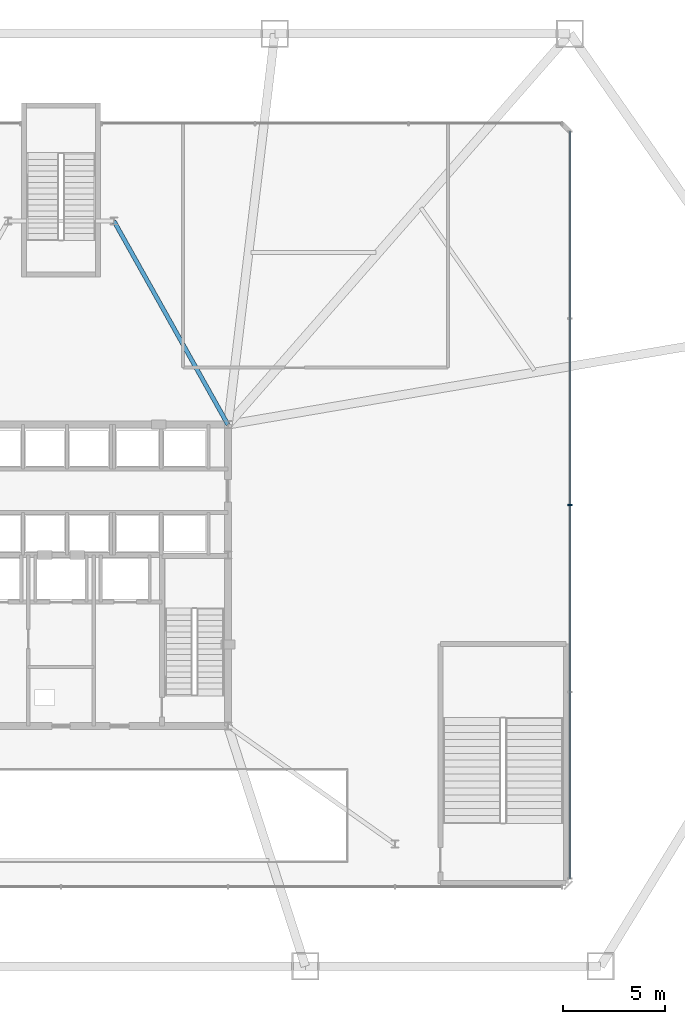
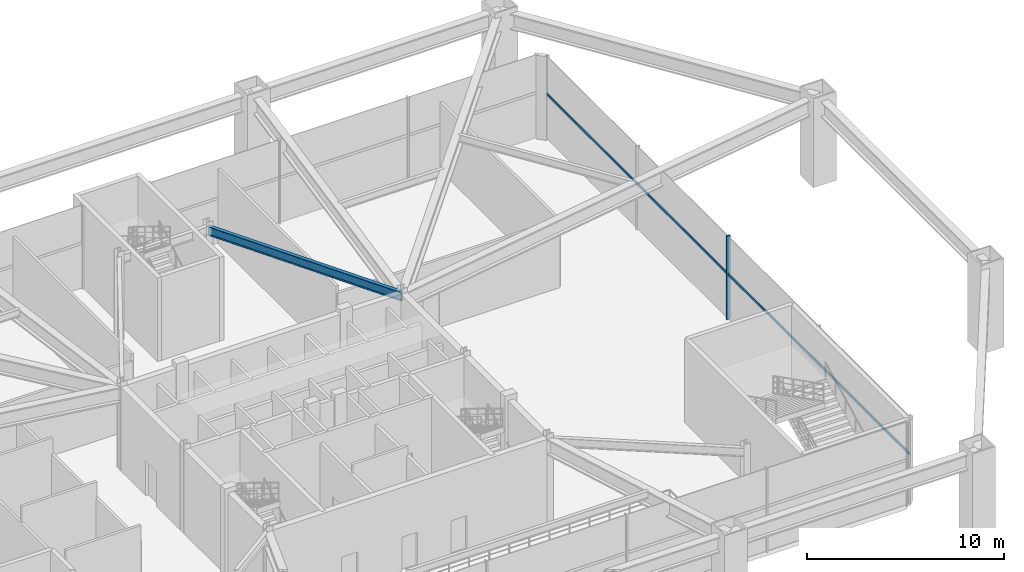
# One storey, part 9 of 18: 2 members, 1 beam, 1 element without a shape of its own.
"""IFC4 building model written with IfcOpenShell, lengths in metres."""

from ifc_helpers import new_model, si_unit, direction, frame, origin, origin_2d, place, context, subcontext, project, spatial, rectangle, i_section, extrude, source, transform, mapped, material, layer, layer_set, material_profile, profile_set, type_object, type_shapes, element, aggregate, save


model = new_model("IFC4")

# Units and contexts
model_context = context("Model", 3, precision=1e-05, world=origin(), true_north=direction((0.0, 1.0)))
body_context = subcontext(model_context, "Body", "Model", "MODEL_VIEW")
ifc_project = project(units=[si_unit("LENGTHUNIT", "METRE"), si_unit("AREAUNIT", "SQUARE_METRE"), si_unit("VOLUMEUNIT", "CUBIC_METRE"), si_unit("PLANEANGLEUNIT", "RADIAN"), si_unit("MASSUNIT", "GRAM", prefix="KILO")], contexts=[model_context])

# Site, building, storey
site_placement = place(None, origin())
site = spatial("IfcSite", under=ifc_project, at=site_placement, CompositionType="ELEMENT")
building_placement = place(site_placement, origin())
building = spatial("IfcBuilding", under=site, at=building_placement, Name="Varakhsha Concourse Tower", CompositionType="ELEMENT")
storey_placement = place(building_placement, frame((0.0, 0.0, 5.5)))
storey = spatial("IfcBuildingStorey", under=building, at=storey_placement, Name="L02", CompositionType="ELEMENT", Elevation=5.5)

# Beam
ifc_material_1 = material(Name="Structural Steel ASTM A992 Grade 50", Category="steel")
ifc_material_profile_1 = material_profile(ifc_material_1, i_section(OverallWidth=0.2109375, OverallDepth=0.5390625, WebThickness=0.011962890625, FlangeThickness=0.01904296875, at=origin_2d()), Name="W21X73")
ifc_profile_set_1 = profile_set([ifc_material_profile_1], Name="Structural Steel ASTM A992 Grade 50")
beam_type = type_object("IfcBeamType", Name="BM-RAD-W21X73", PredefinedType="BEAM", material=ifc_profile_set_1)
beam_placement = place(storey_placement, frame((48.199951171875, 31.199951171875, 4.910400390625), z_axis=(-0.488593639205, 0.872511464526, 0.0), x_axis=(-0.872511464526, -0.488593639205, 0.0)))
element("IfcBeam", 1, at=beam_placement, inside=storey, type_object=beam_type, Name="BM-CORE-L02-NSE", PredefinedType="BEAM", context=body_context, shape_type="SweptSolid", body=[
    extrude(i_section(OverallWidth=0.2109375, OverallDepth=0.5390625, WebThickness=0.011962890625, FlangeThickness=0.01904296875, at=origin_2d()), origin(), (0.0, 0.0, 1.0), 11.461181640625),
])

# Curtain wall, members
ifc_material_2 = material(Name="Anodised Bronze Architectural Aluminium AA 6063-T6", Category="aluminium")
ifc_layer = layer(ifc_material_2, 0.239990234375, Name="CW-SYS-01")
ifc_layer_set = layer_set([ifc_layer], Name="Anodised Bronze Architectural Aluminium AA 6063-T6")
curtain_wall_type = type_object("IfcCurtainWallType", Name="CW-SYS-01", PredefinedType="NOTDEFINED", material=ifc_layer_set)
curtain_wall_placement = place(storey_placement, origin())
curtain_wall = element("IfcCurtainWall", 2, at=curtain_wall_placement, inside=storey, type_object=curtain_wall_type, Name="L02 Mezzanine Curtain Wall 03", PredefinedType="NOTDEFINED")
ifc_material_profile_2 = material_profile(ifc_material_2, rectangle(XDim=0.074951171875, YDim=0.219970703125, at=origin_2d()), Name="CWM-220X75")
ifc_profile_set_2 = profile_set([ifc_material_profile_2], Name="Anodised Bronze Architectural Aluminium AA 6063-T6")
member_type_1 = type_object("IfcMemberType", Name="CWM-220X75", PredefinedType="MULLION", material=ifc_profile_set_2)
shared_shape_1 = source(origin(), body_context, "Body", "SweptSolid", [
    extrude(rectangle(XDim=0.074951171875, YDim=0.219970703125, at=origin_2d()), origin(), (0.0, 0.0, 1.0), 5.179931640625),
])
type_shapes(member_type_1, [shared_shape_1])
member_1_placement = place(storey_placement, frame((65.0, 27.25, 0.0), z_axis=(0.0, 0.0, 1.0), x_axis=(0.0, 1.0, 0.0)))
member_1 = element("IfcMember", 3, at=member_1_placement, type_object=member_type_1, Name="CW-L02-03 Mullion 02", PredefinedType="MULLION", context=body_context, shape_type="MappedRepresentation", body=[
    mapped(shared_shape_1, transform((0.0, 0.0, 0.0), scale=1.0)),
])
ifc_material_profile_3 = material_profile(ifc_material_2, rectangle(XDim=0.06494140625, YDim=0.159912109375, at=origin_2d()), Name="CWT-160X65")
ifc_profile_set_3 = profile_set([ifc_material_profile_3], Name="Anodised Bronze Architectural Aluminium AA 6063-T6")
member_type_2 = type_object("IfcMemberType", Name="CWT-160X65", PredefinedType="USERDEFINED", material=ifc_profile_set_3)
shared_shape_2 = source(origin(), body_context, "Body", "SweptSolid", [
    extrude(rectangle(XDim=0.06494140625, YDim=0.159912109375, at=origin_2d()), origin(), (0.0, 0.0, 1.0), 36.7001953125),
])
type_shapes(member_type_2, [shared_shape_2])
member_2_placement = place(storey_placement, frame((65.0, 8.89990234375, 2.800048828125), z_axis=(0.0, 1.0, 0.0), x_axis=(-1.0, 0.0, 0.0)))
member_2 = element("IfcMember", 4, at=member_2_placement, type_object=member_type_2, Name="CW-L02-03 Transom 01", ObjectType="TRANSOM", PredefinedType="USERDEFINED", context=body_context, shape_type="MappedRepresentation", body=[
    mapped(shared_shape_2, transform((0.0, 0.0, 0.0), scale=1.0)),
])
aggregate(curtain_wall, [member_1, member_2])

save(model, "model.ifc")
